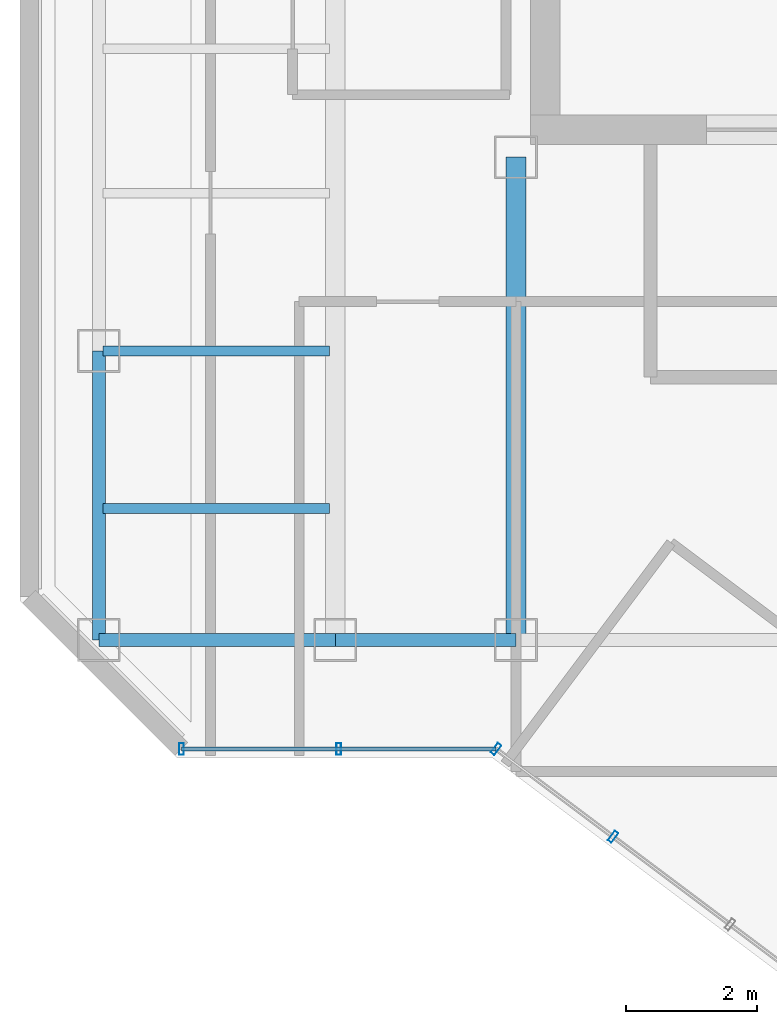
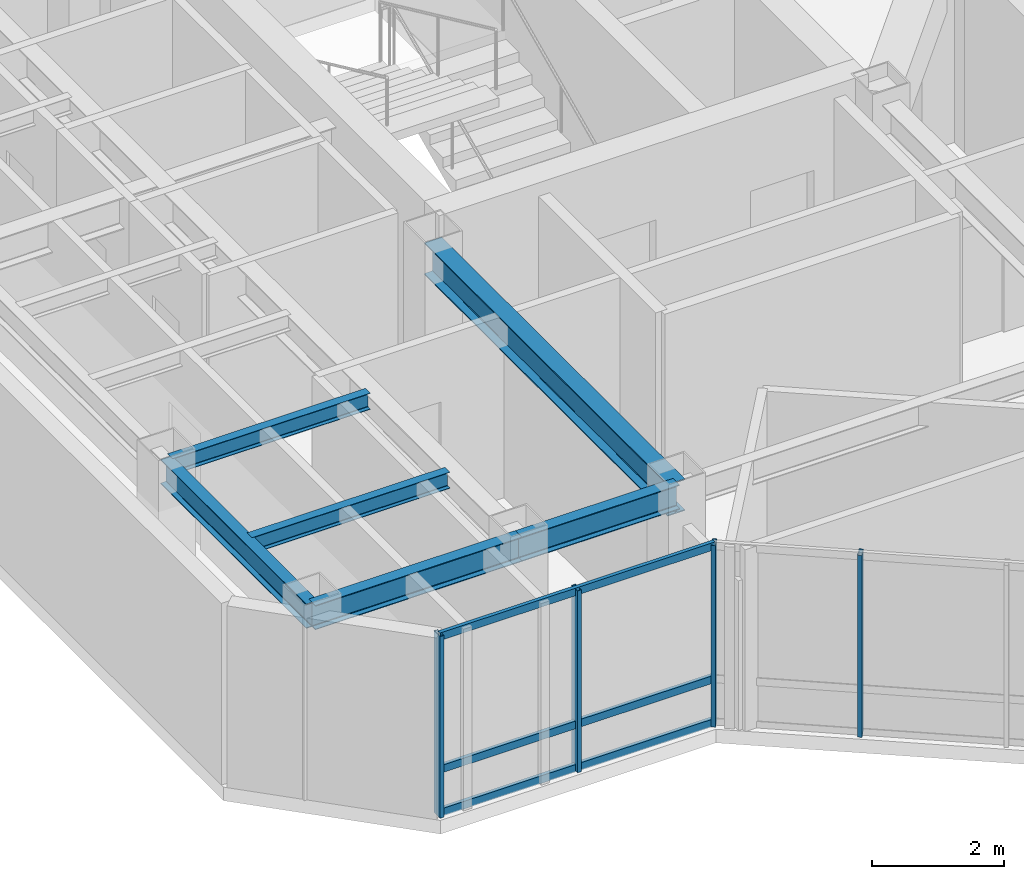
# One storey, part 3 of 18: 7 members, 6 beams, 2 elements without a shape of their own.
"""IFC4 building model written with IfcOpenShell, lengths in metres."""

from ifc_helpers import new_model, si_unit, direction, frame, origin, origin_2d, place, context, subcontext, project, spatial, hollow_rectangle, i_section, extrude, material, layer, layer_set, material_profile, profile_set, type_object, element, aggregate, save


model = new_model("IFC4")

# Units and contexts
model_context = context("Model", 3, precision=1e-05, world=origin(), true_north=direction((0.0, 1.0)))
body_context = subcontext(model_context, "Body", "Model", "MODEL_VIEW")
ifc_project = project(units=[si_unit("LENGTHUNIT", "METRE"), si_unit("AREAUNIT", "SQUARE_METRE"), si_unit("VOLUMEUNIT", "CUBIC_METRE"), si_unit("PLANEANGLEUNIT", "RADIAN"), si_unit("MASSUNIT", "GRAM", prefix="KILO")], contexts=[model_context])

# Site, building, storey
site_placement = place(None, origin())
site = spatial("IfcSite", under=ifc_project, at=site_placement, CompositionType="ELEMENT")
building_placement = place(site_placement, origin())
building = spatial("IfcBuilding", under=site, at=building_placement, Name="Hatsunagi Terrace Concourse", CompositionType="ELEMENT")
storey_placement = place(building_placement, frame((0.0, 0.0, 250.35009765625)))
storey = spatial("IfcBuildingStorey", under=building, at=storey_placement, Name="L66", CompositionType="ELEMENT", Elevation=250.35009765625)

# Curtain wall, members
ifc_material_1 = material(Name="Anodised Aluminium Alloy 6063-T5", Category="aluminium")
ifc_layer = layer(ifc_material_1, 0.199951171875)
ifc_layer_set = layer_set([ifc_layer], Name="OfficeZone2_CW04")
curtain_wall_type = type_object("IfcCurtainWallType", Name="OfficeZone2_CW04", PredefinedType="NOTDEFINED", material=ifc_layer_set)
curtain_wall_1_placement = place(storey_placement, origin())
curtain_wall_1 = element("IfcCurtainWall", 1, at=curtain_wall_1_placement, inside=storey, type_object=curtain_wall_type, Name="Unitised Curtain Wall CW-04 CW-L66-05", PredefinedType="NOTDEFINED")
ifc_material_2 = material(Name="Anodised Aluminium Alloy 6063-T5", Category="aluminium")
ifc_material_profile_1 = material_profile(ifc_material_2, hollow_rectangle(XDim=0.070068359375, YDim=0.179931640625, WallThickness=0.00390625, at=origin_2d()), Name="ALU-MUL-180x70x4")
ifc_profile_set_1 = profile_set([ifc_material_profile_1], Name="Anodised Aluminium Alloy 6063-T5")
member_type_1 = type_object("IfcMemberType", Name="CurtainWallMullion_180x70", PredefinedType="MULLION", material=ifc_profile_set_1)
member_1_placement = place(storey_placement, frame((27.029052734375, 22.2041015625, 0.0), z_axis=(0.0, 0.0, 1.0), x_axis=(-0.800007305671, 0.599990258982, 0.0)))
member_1 = element("IfcMember", 2, at=member_1_placement, type_object=member_type_1, Name="Curtain Wall Mullion MUL-02", PredefinedType="MULLION", context=body_context, shape_type="SweptSolid", body=[
    extrude(hollow_rectangle(XDim=0.070068359375, YDim=0.179931640625, WallThickness=0.00390625, at=origin_2d()), origin(), (0.0, 0.0, 1.0), 3.349853515625),
])
member_2_placement = place(storey_placement, frame((25.2470703125, 23.5400390625, 0.0), z_axis=(0.0, 0.0, 1.0), x_axis=(-0.800007305671, 0.599990258982, 0.0)))
member_2 = element("IfcMember", 3, at=member_2_placement, type_object=member_type_1, Name="Curtain Wall Mullion MUL-02", PredefinedType="MULLION", context=body_context, shape_type="SweptSolid", body=[
    extrude(hollow_rectangle(XDim=0.070068359375, YDim=0.179931640625, WallThickness=0.00390625, at=origin_2d()), origin(), (0.0, 0.0, 1.0), 3.349853515625),
])
aggregate(curtain_wall_1, [member_1, member_2])

curtain_wall_2_placement = place(storey_placement, origin())
curtain_wall_2 = element("IfcCurtainWall", 4, at=curtain_wall_2_placement, inside=storey, type_object=curtain_wall_type, Name="Unitised Curtain Wall CW-04 CW-L66-06", PredefinedType="NOTDEFINED")
member_3_placement = place(storey_placement, frame((22.85205078125, 23.5400390625, 0.0), z_axis=(0.0, 0.0, 1.0), x_axis=(-1.0, 0.0, 0.0)))
member_3 = element("IfcMember", 5, at=member_3_placement, type_object=member_type_1, Name="Curtain Wall Mullion MUL-02", PredefinedType="MULLION", context=body_context, shape_type="SweptSolid", body=[
    extrude(hollow_rectangle(XDim=0.070068359375, YDim=0.179931640625, WallThickness=0.00390625, at=origin_2d()), origin(), (0.0, 0.0, 1.0), 3.349853515625),
])
member_4_placement = place(storey_placement, frame((20.4580078125, 23.5400390625, 0.0), z_axis=(0.0, 0.0, 1.0), x_axis=(-1.0, 0.0, 0.0)))
member_4 = element("IfcMember", 6, at=member_4_placement, type_object=member_type_1, Name="Curtain Wall Mullion MUL-02", PredefinedType="MULLION", context=body_context, shape_type="SweptSolid", body=[
    extrude(hollow_rectangle(XDim=0.070068359375, YDim=0.179931640625, WallThickness=0.00390625, at=origin_2d()), origin(), (0.0, 0.0, 1.0), 3.349853515625),
])
ifc_material_3 = material(Name="Anodised Aluminium Alloy 6063-T5", Category="aluminium")
ifc_material_profile_2 = material_profile(ifc_material_3, hollow_rectangle(XDim=0.06494140625, YDim=0.139892578125, WallThickness=0.00390625, at=origin_2d()), Name="ALU-TRN-140x65x4")
ifc_profile_set_2 = profile_set([ifc_material_profile_2], Name="Anodised Aluminium Alloy 6063-T5")
member_type_2 = type_object("IfcMemberType", Name="CurtainWallTransom_140x65", PredefinedType="USERDEFINED", material=ifc_profile_set_2)
member_5_placement = place(storey_placement, frame((25.2470703125, 23.5400390625, 0.0498046875), z_axis=(-1.0, 0.0, 0.0), x_axis=(0.0, -1.0, 0.0)))
member_5 = element("IfcMember", 7, at=member_5_placement, type_object=member_type_2, Name="Curtain Wall Transom TRN-02", ObjectType="TRANSOM", PredefinedType="USERDEFINED", context=body_context, shape_type="SweptSolid", body=[
    extrude(hollow_rectangle(XDim=0.06494140625, YDim=0.139892578125, WallThickness=0.00390625, at=origin_2d()), origin(), (0.0, 0.0, 1.0), 4.7890625),
])
member_6_placement = place(storey_placement, frame((25.2470703125, 23.5400390625, 0.849853515625), z_axis=(-1.0, 0.0, 0.0), x_axis=(0.0, -1.0, 0.0)))
member_6 = element("IfcMember", 8, at=member_6_placement, type_object=member_type_2, Name="Curtain Wall Transom TRN-02", ObjectType="TRANSOM", PredefinedType="USERDEFINED", context=body_context, shape_type="SweptSolid", body=[
    extrude(hollow_rectangle(XDim=0.06494140625, YDim=0.139892578125, WallThickness=0.00390625, at=origin_2d()), origin(), (0.0, 0.0, 1.0), 4.7890625),
])
member_7_placement = place(storey_placement, frame((25.2470703125, 23.5400390625, 3.2998046875), z_axis=(-1.0, 0.0, 0.0), x_axis=(0.0, -1.0, 0.0)))
member_7 = element("IfcMember", 9, at=member_7_placement, type_object=member_type_2, Name="Curtain Wall Transom TRN-02", ObjectType="TRANSOM", PredefinedType="USERDEFINED", context=body_context, shape_type="SweptSolid", body=[
    extrude(hollow_rectangle(XDim=0.06494140625, YDim=0.139892578125, WallThickness=0.00390625, at=origin_2d()), origin(), (0.0, 0.0, 1.0), 4.7890625),
])
aggregate(curtain_wall_2, [member_3, member_4, member_5, member_6, member_7])

# Beams
ifc_material_4 = material(Name="Steel SN490B", Category="steel")
ifc_material_profile_3 = material_profile(ifc_material_4, i_section(OverallWidth=0.300048828125, OverallDepth=0.587890625, WebThickness=0.011962890625, FlangeThickness=0.02001953125, FilletRadius=0.01806640625, at=origin_2d()), Name="H-588x300x12x20")
ifc_profile_set_3 = profile_set([ifc_material_profile_3], Name="Steel SN490B")
beam_type_1 = type_object("IfcBeamType", Name="OfficeHighGirder_H_588x300", PredefinedType="BEAM", material=ifc_profile_set_3)
beam_1_placement = place(storey_placement, frame((25.550048828125, 25.199951171875, 3.055908203125), z_axis=(0.0, 1.0, 0.0), x_axis=(-1.0, 0.0, 0.0)))
element("IfcBeam", 10, at=beam_1_placement, inside=storey, type_object=beam_type_1, Name="Beam G-06 BM-L66-K1CA", PredefinedType="BEAM", context=body_context, shape_type="SweptSolid", body=[
    extrude(i_section(OverallWidth=0.300048828125, OverallDepth=0.587890625, WebThickness=0.011962890625, FlangeThickness=0.02001953125, FilletRadius=0.01806640625, at=origin_2d()), origin(), (0.0, 0.0, 1.0), 7.35009765625),
])
ifc_material_5 = material(Name="Steel SN490B", Category="steel")
ifc_material_profile_4 = material_profile(ifc_material_5, i_section(OverallWidth=0.14990234375, OverallDepth=0.300048828125, WebThickness=0.006591796875, FlangeThickness=0.009033203125, FilletRadius=0.010986328125, at=origin_2d()), Name="H-300x150x6.5x9")
ifc_profile_set_4 = profile_set([ifc_material_profile_4], Name="Steel SN490B")
beam_type_2 = type_object("IfcBeamType", Name="OfficeJoist_H_300x150", PredefinedType="JOIST", material=ifc_profile_set_4)
for number, where, z_axis, x_axis, name in (
    (11, (19.264892578125, 27.199951171875, 3.199951171875), (1.0, 0.0, 0.0), (0.0, 1.0, 0.0), "Beam J-03 J-L66-W-19-272"),
    (12, (19.264892578125, 29.60009765625, 3.199951171875), (1.0, 0.0, 0.0), (0.0, 1.0, 0.0), "Beam J-03 J-L66-W-19-296"),
):
    element("IfcBeam", number, at=place(storey_placement, frame(where, z_axis=z_axis, x_axis=x_axis)), inside=storey, type_object=beam_type_2, Name=name, PredefinedType="JOIST", context=body_context, shape_type="SweptSolid", body=[
        extrude(i_section(OverallWidth=0.14990234375, OverallDepth=0.300048828125, WebThickness=0.006591796875, FlangeThickness=0.009033203125, FilletRadius=0.010986328125, at=origin_2d()), origin(), (0.0, 0.0, 1.0), 3.4501953125),
    ])
ifc_material_6 = material(Name="Steel SN490B", Category="steel")
ifc_material_profile_5 = material_profile(ifc_material_6, i_section(OverallWidth=0.199951171875, OverallDepth=0.449951171875, WebThickness=0.009033203125, FlangeThickness=0.013916015625, FilletRadius=0.01611328125, at=origin_2d()), Name="H-450x200x9x14")
ifc_profile_set_5 = profile_set([ifc_material_profile_5], Name="Steel SN490B")
beam_type_3 = type_object("IfcBeamType", Name="PerimeterSpandrel_H_450x200", PredefinedType="SPANDREL", material=ifc_profile_set_5)
beam_2_placement = place(storey_placement, frame((19.199951171875, 25.199951171875, 3.125), z_axis=(1.0, 0.0, 0.0), x_axis=(0.0, 1.0, 0.0)))
element("IfcBeam", 13, at=beam_2_placement, inside=storey, type_object=beam_type_3, Name="Beam SP-02 BM-L66-WS-19", PredefinedType="SPANDREL", context=body_context, shape_type="SweptSolid", body=[
    extrude(i_section(OverallWidth=0.199951171875, OverallDepth=0.449951171875, WebThickness=0.009033203125, FlangeThickness=0.013916015625, FilletRadius=0.01611328125, at=origin_2d()), origin(), (0.0, 0.0, 1.0), 3.60009765625),
])
beam_3_placement = place(storey_placement, frame((22.800048828125, 25.199951171875, 3.125), z_axis=(1.0, 0.0, 0.0), x_axis=(0.0, 1.0, 0.0)))
element("IfcBeam", 14, at=beam_3_placement, inside=storey, type_object=beam_type_3, Name="Beam SP-02 BM-L66-WS-22", PredefinedType="SPANDREL", context=body_context, shape_type="SweptSolid", body=[
    extrude(i_section(OverallWidth=0.199951171875, OverallDepth=0.449951171875, WebThickness=0.009033203125, FlangeThickness=0.013916015625, FilletRadius=0.01611328125, at=origin_2d()), origin(), (0.0, 0.0, 1.0), 2.75),
])
beam_4_placement = place(storey_placement, frame((19.199951171875, 25.199951171875, 3.125), z_axis=(0.0, 1.0, 0.0), x_axis=(-1.0, 0.0, 0.0)))
element("IfcBeam", 15, at=beam_4_placement, inside=storey, type_object=beam_type_3, Name="Beam SP-02 BM-L66-NS-19-25", PredefinedType="SPANDREL", context=body_context, shape_type="SweptSolid", body=[
    extrude(i_section(OverallWidth=0.199951171875, OverallDepth=0.449951171875, WebThickness=0.009033203125, FlangeThickness=0.013916015625, FilletRadius=0.01611328125, at=origin_2d()), origin(), (0.0, 0.0, 1.0), 4.400146484375),
])

save(model, "model.ifc")
